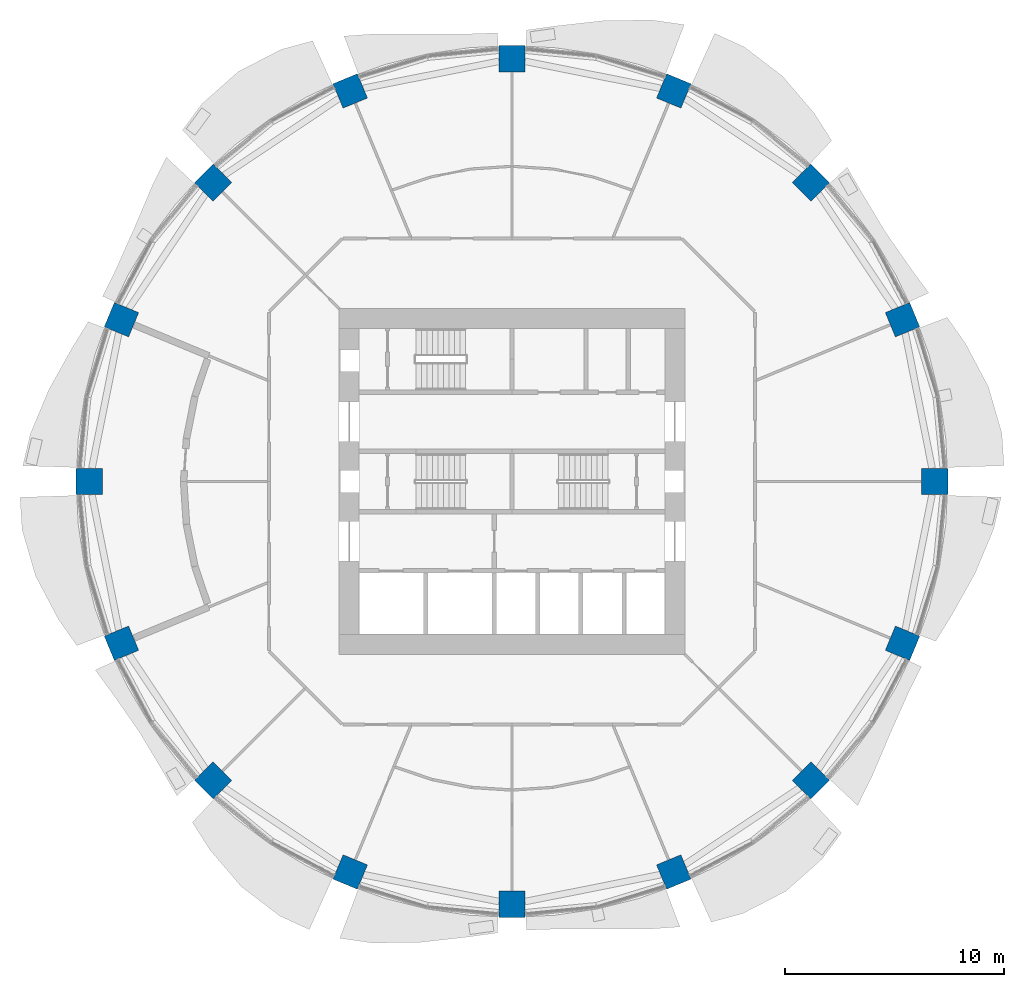
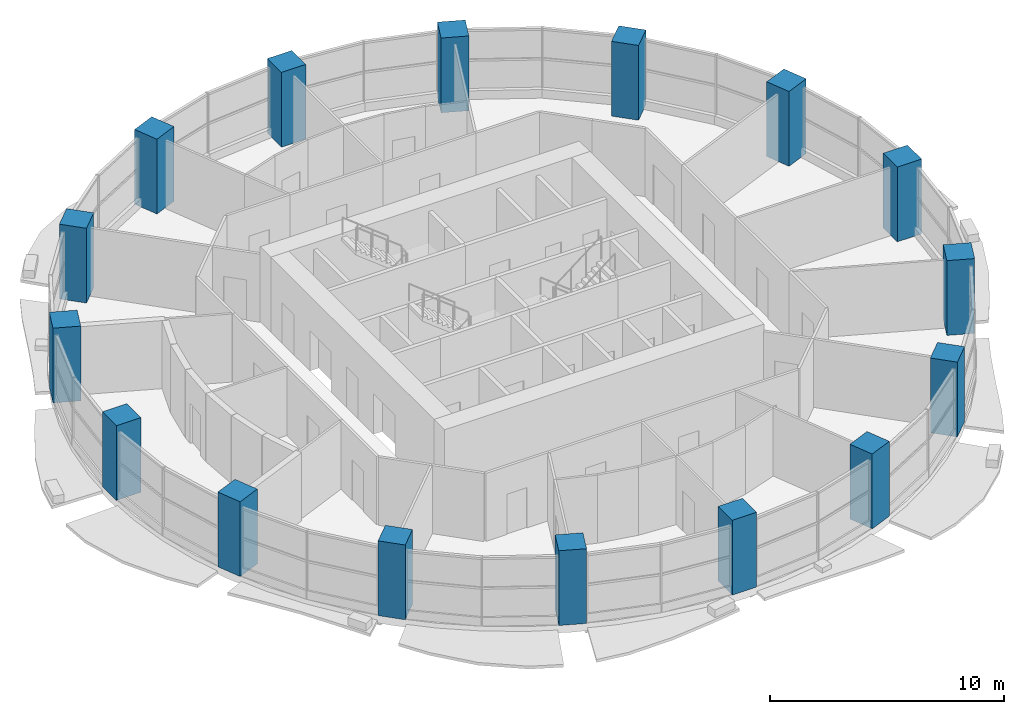
# One storey, part 1 of 15: 16 columns.
"""IFC4 building model written with IfcOpenShell, lengths in metres."""

from ifc_helpers import new_model, si_unit, direction, frame, origin, origin_2d, place, context, subcontext, project, spatial, rectangle, extrude, material, material_profile, profile_set, type_object, element, save


model = new_model("IFC4")

# Units and contexts
model_context = context("Model", 3, precision=1e-05, world=origin(), true_north=direction((0.0, 1.0)))
body_context = subcontext(model_context, "Body", "Model", "MODEL_VIEW")
ifc_project = project(units=[si_unit("LENGTHUNIT", "METRE"), si_unit("AREAUNIT", "SQUARE_METRE"), si_unit("VOLUMEUNIT", "CUBIC_METRE"), si_unit("PLANEANGLEUNIT", "RADIAN"), si_unit("MASSUNIT", "GRAM", prefix="KILO")], contexts=[model_context])

# Site, building, storey
site_placement = place(None, origin())
site = spatial("IfcSite", under=ifc_project, at=site_placement, CompositionType="ELEMENT")
building_placement = place(site_placement, origin())
building = spatial("IfcBuilding", under=site, at=building_placement, Name="Polderwave Tower", CompositionType="ELEMENT")
storey_placement = place(building_placement, frame((0.0, 0.0, 18.5)))
storey = spatial("IfcBuildingStorey", under=building, at=storey_placement, Name="L04", CompositionType="ELEMENT", Elevation=18.5)

# Columns
ifc_material = material(Name="Concrete C80/95", Category="concrete")
ifc_material_profile = material_profile(ifc_material, rectangle(XDim=1.199951171875, YDim=1.199951171875, at=origin_2d()), Name="RC 1200x1200")
ifc_profile_set = profile_set([ifc_material_profile], Name="Concrete C80/95")
column_type = type_object("IfcColumnType", Name="RC COLUMN 1200x1200 C80/95", PredefinedType="COLUMN", material=ifc_profile_set)
for number, where, z_axis, x_axis, name in (
    (1, (19.260009765625, 0.0, 0.0), (0.0, 0.0, 1.0), (1.0, 0.0, 0.0), "Ring column 01"),
    (2, (17.7939453125, 7.370361328125, 0.0), (0.0, 0.0, 1.0), (0.923879532511, 0.382683432365, 0.0), "Ring column 02"),
    (3, (13.618896484375, 13.618896484375, 0.0), (0.0, 0.0, 1.0), (0.707106781187, 0.707106781187, 0.0), "Ring column 03"),
    (4, (7.370361328125, 17.7939453125, 0.0), (0.0, 0.0, 1.0), (0.382683432365, 0.923879532511, 0.0), "Ring column 04"),
    (5, (0.0, 19.260009765625, 0.0), (0.0, 0.0, 1.0), (0.0, 1.0, 0.0), "Ring column 05"),
    (6, (-7.370361328125, 17.7939453125, 0.0), (0.0, 0.0, 1.0), (-0.382683432365, 0.923879532511, 0.0), "Ring column 06"),
    (7, (-13.618896484375, 13.618896484375, 0.0), (0.0, 0.0, 1.0), (-0.707106781187, 0.707106781187, 0.0), "Ring column 07"),
    (8, (-17.7939453125, 7.370361328125, 0.0), (0.0, 0.0, 1.0), (-0.923879532511, 0.382683432365, 0.0), "Ring column 08"),
    (9, (-19.260009765625, 0.0, 0.0), (0.0, 0.0, 1.0), (-1.0, 0.0, 0.0), "Ring column 09"),
    (10, (-17.7939453125, -7.370361328125, 0.0), (0.0, 0.0, 1.0), (-0.923879532511, -0.382683432365, 0.0), "Ring column 10"),
    (11, (-13.618896484375, -13.618896484375, 0.0), (0.0, 0.0, 1.0), (-0.707106781187, -0.707106781187, 0.0), "Ring column 11"),
    (12, (-7.370361328125, -17.7939453125, 0.0), (0.0, 0.0, 1.0), (-0.382683432365, -0.923879532511, 0.0), "Ring column 12"),
    (13, (0.0, -19.260009765625, 0.0), (0.0, 0.0, 1.0), (0.0, -1.0, 0.0), "Ring column 13"),
    (14, (7.370361328125, -17.7939453125, 0.0), (0.0, 0.0, 1.0), (0.382683432365, -0.923879532511, 0.0), "Ring column 14"),
    (15, (13.618896484375, -13.618896484375, 0.0), (0.0, 0.0, 1.0), (0.707106781187, -0.707106781187, 0.0), "Ring column 15"),
    (16, (17.7939453125, -7.370361328125, 0.0), (0.0, 0.0, 1.0), (0.923879532511, -0.382683432365, 0.0), "Ring column 16"),
):
    element("IfcColumn", number, at=place(storey_placement, frame(where, z_axis=z_axis, x_axis=x_axis)), inside=storey, type_object=column_type, Name=name, PredefinedType="COLUMN", context=body_context, shape_type="SweptSolid", body=[
        extrude(rectangle(XDim=1.199951171875, YDim=1.199951171875, at=origin_2d()), origin(), (0.0, 0.0, 1.0), 3.89990234375),
    ])

save(model, "model.ifc")
